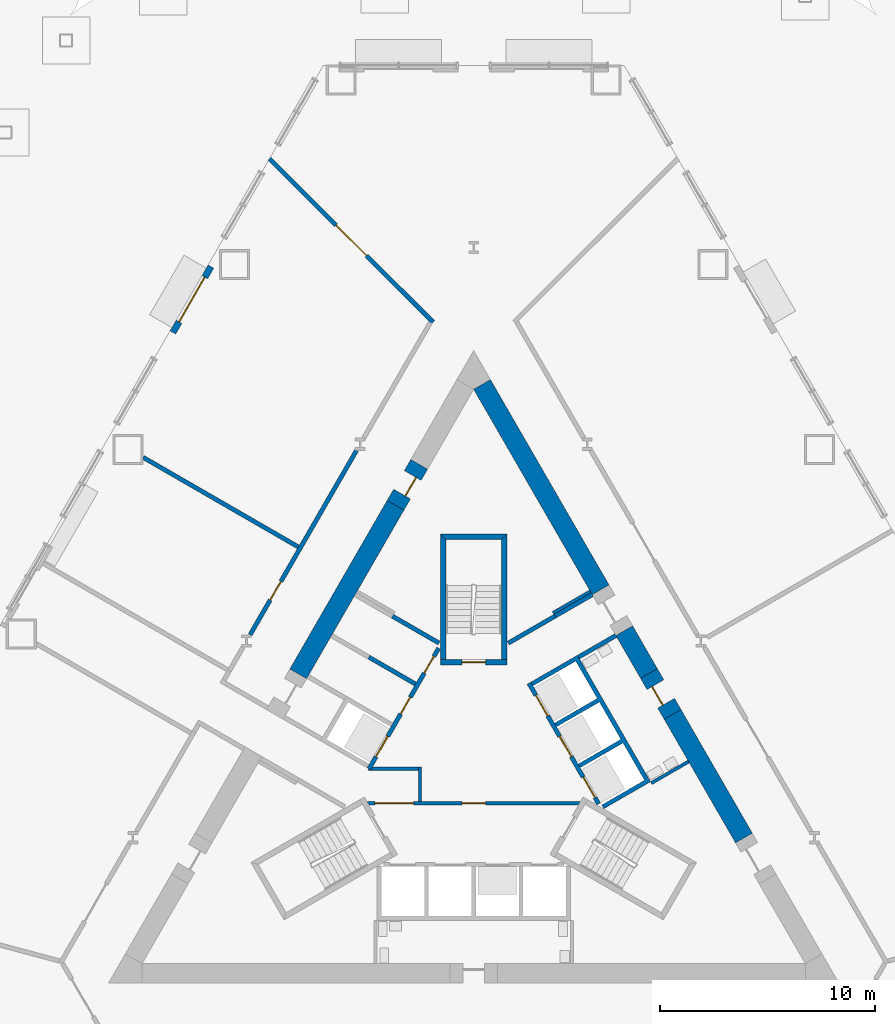
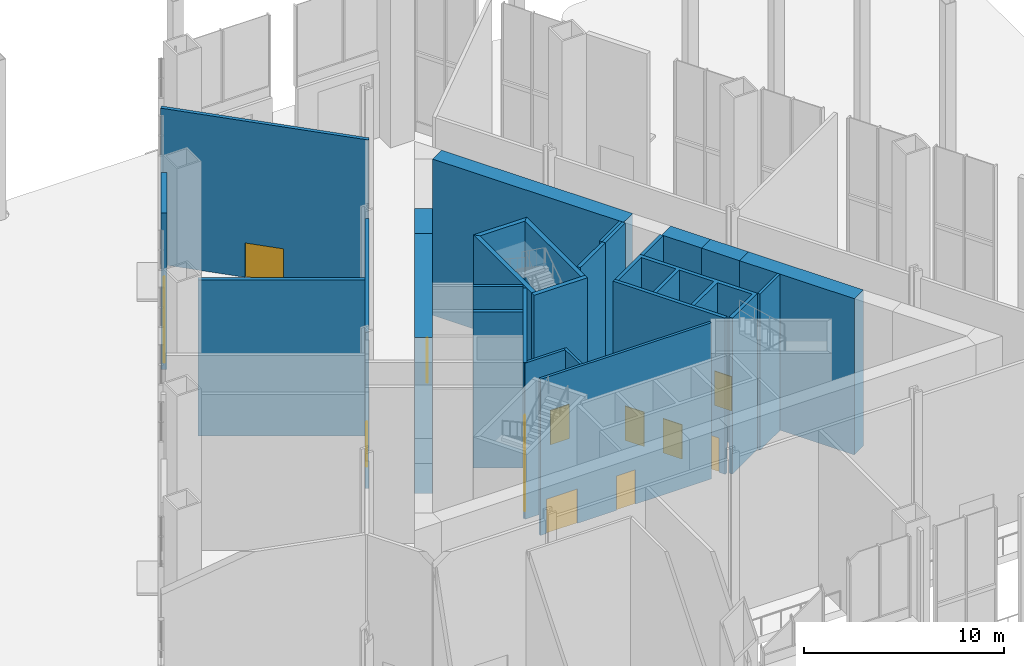
# One storey, part 12 of 18: 27 walls, 14 doors, 14 openings.
"""IFC4 building model written with IfcOpenShell, lengths in metres."""

from ifc_helpers import new_model, si_unit, direction, frame, frame_2d, origin, place, context, subcontext, project, spatial, polyline, rectangle, outline, extrude, material, layer, layer_set, type_object, element, fill, save


model = new_model("IFC4")

# Units and contexts
model_context = context("Model", 3, precision=1e-05, world=origin(), true_north=direction((0.0, 1.0)))
body_context = subcontext(model_context, "Body", "Model", "MODEL_VIEW")
ifc_project = project(units=[si_unit("LENGTHUNIT", "METRE"), si_unit("AREAUNIT", "SQUARE_METRE"), si_unit("VOLUMEUNIT", "CUBIC_METRE"), si_unit("PLANEANGLEUNIT", "RADIAN"), si_unit("MASSUNIT", "GRAM", prefix="KILO")], contexts=[model_context])

# Site, building, storey
site_placement = place(None, origin())
site = spatial("IfcSite", under=ifc_project, at=site_placement, CompositionType="ELEMENT")
building_placement = place(site_placement, origin())
building = spatial("IfcBuilding", under=site, at=building_placement, Name="Cormorant Prow Tower", CompositionType="ELEMENT")
storey_placement = place(building_placement, origin())
storey = spatial("IfcBuildingStorey", under=building, at=storey_placement, Name="L00", CompositionType="ELEMENT", Elevation=0.0)

# Wall, openings, doors
ifc_material_1 = material(Name="Gypsum board partition")
ifc_layer_1 = layer(ifc_material_1, 0.14990234375)
ifc_layer_set_1 = layer_set([ifc_layer_1], Name="Gypsum board partition")
wall_type_1 = type_object("IfcWallType", Name="Core partition 150", PredefinedType="PARTITIONING", material=ifc_layer_set_1)
wall_1_placement = place(storey_placement, frame((-4.941162109375, -1.449951171875, 0.0), z_axis=(0.0, 0.0, 1.0), x_axis=(1.0, 0.0, 0.0)))
wall_1 = element("IfcWall", 1, at=wall_1_placement, inside=storey, type_object=wall_type_1, Name="Firefighting lobby partition", PredefinedType="PARTITIONING", context=body_context, shape_type="SweptSolid", body=[
    extrude(rectangle(XDim=9.88232421875, YDim=0.14990234375, at=frame_2d((4.941162109375, 0.0))), origin(), (0.0, 0.0, 1.0), 9.550048828125),
])
opening_1_placement = place(wall_1_placement, frame((4.39111328125, 0.0, 0.0)))
opening_1 = element("IfcOpeningElement", 2, at=opening_1_placement, cuts=wall_1, Name="Opening L00-C11", PredefinedType="OPENING", context=body_context, shape_type="SweptSolid", body=[
    extrude(rectangle(XDim=1.10009765625, YDim=2.10009765625, at=frame_2d((0.550048828125, 1.050048828125))), frame((0.0, 0.0849609375, 0.0), z_axis=(0.0, -1.0, 0.0), x_axis=(1.0, 0.0, 0.0)), (0.0, 0.0, 1.0), 0.169921875),
])
opening_2_placement = place(wall_1_placement, frame((0.341064453125, 0.0, 0.0)))
opening_2 = element("IfcOpeningElement", 3, at=opening_2_placement, cuts=wall_1, Name="Opening L00-C12", PredefinedType="OPENING", context=body_context, shape_type="SweptSolid", body=[
    extrude(rectangle(XDim=1.800048828125, YDim=2.10009765625, at=frame_2d((0.89990234375, 1.050048828125))), frame((0.0, 0.0849609375, 0.0), z_axis=(0.0, -1.0, 0.0), x_axis=(1.0, 0.0, 0.0)), (0.0, 0.0, 1.0), 0.169921875),
])
ifc_material_2 = material(Name="Painted steel", Category="steel")
door_type_1 = type_object("IfcDoorType", Name="Exit passage door 1800x2100", OperationType="DOUBLE_DOOR_SINGLE_SWING", PredefinedType="DOOR", material=ifc_material_2)
door_1_placement = place(opening_2_placement, origin())
door_1 = element("IfcDoor", 4, at=door_1_placement, inside=storey, type_object=door_type_1, Name="Exit passage door", OperationType="DOUBLE_DOOR_SINGLE_SWING", OverallHeight=2.10009765625, OverallWidth=1.800048828125, PredefinedType="DOOR", context=body_context, shape_type="SweptSolid", body=[
    extrude(rectangle(XDim=1.800048828125, YDim=2.10009765625, at=frame_2d((0.89990234375, 1.050048828125))), frame((0.0, 0.02490234375, 0.0), z_axis=(0.0, -1.0, 0.0), x_axis=(1.0, 0.0, 0.0)), (0.0, 0.0, 1.0), 0.050048828125),
])
fill(opening_2, door_1)
ifc_material_3 = material(Name="Painted steel", Category="steel")
door_type_2 = type_object("IfcDoorType", Name="Firefighting lobby door 1100x2100", OperationType="NOTDEFINED", PredefinedType="DOOR", material=ifc_material_3)
door_2_placement = place(opening_1_placement, origin())
door_2 = element("IfcDoor", 5, at=door_2_placement, inside=storey, type_object=door_type_2, Name="Firefighting lobby door", OperationType="SINGLE_SWING_LEFT", OverallHeight=2.10009765625, OverallWidth=1.10009765625, PredefinedType="DOOR", context=body_context, shape_type="SweptSolid", body=[
    extrude(rectangle(XDim=1.10009765625, YDim=2.10009765625, at=frame_2d((0.550048828125, 1.050048828125))), frame((0.0, 0.02490234375, 0.0), z_axis=(0.0, -1.0, 0.0), x_axis=(1.0, 0.0, 0.0)), (0.0, 0.0, 1.0), 0.050048828125),
])
fill(opening_1, door_2)

# Walls
wall_2_placement = place(storey_placement, origin())
element("IfcWall", 6, at=wall_2_placement, inside=storey, type_object=wall_type_1, Name="Exit passage wall", PredefinedType="PARTITIONING", context=body_context, shape_type="SweptSolid", body=[
    extrude(outline(polyline([(-2.574951171875, 0.235107421875), (-2.574951171875, 0.0849609375), (-4.89990234375, 0.0849609375), (-4.89990234375, 0.173095703125), (-4.787353515625, 0.108154296875), (-4.714111328125, 0.235107421875), (-2.574951171875, 0.235107421875)])), origin(), (0.0, 0.0, 1.0), 9.550048828125),
])
wall_3_placement = place(storey_placement, origin())
element("IfcWall", 7, at=wall_3_placement, inside=storey, type_object=wall_type_1, Name="Exit passage wall", PredefinedType="PARTITIONING", context=body_context, shape_type="SweptSolid", body=[
    extrude(outline(polyline([(-2.574951171875, 0.235107421875), (-2.425048828125, 0.235107421875), (-2.425048828125, -1.375), (-2.574951171875, -1.375), (-2.574951171875, 0.235107421875)])), origin(), (0.0, 0.0, 1.0), 9.550048828125),
])
for number, where, z_axis, x_axis, name in (
    (8, (3.693359375, 7.4150390625, 0.0), (0.0, 0.0, 1.0), (0.866035824272, 0.499981950752, 0.0), "Service room partition"),
    (9, (8.268310546875, -0.509033203125, 0.0), (0.0, 0.0, 1.0), (0.866035824272, 0.499981950752, 0.0), "Service room partition"),
):
    element("IfcWall", number, at=place(storey_placement, frame(where, z_axis=z_axis, x_axis=x_axis)), inside=storey, type_object=wall_type_1, Name=name, PredefinedType="PARTITIONING", context=body_context, shape_type="SweptSolid", body=[
        extrude(rectangle(XDim=2.0087890625, YDim=0.14990234375, at=frame_2d((1.00439453125, 0.0))), origin(), (0.0, 0.0, 1.0), 9.550048828125),
    ])
ifc_material_4 = material(Name="Concrete 8000 psi", Category="concrete")
ifc_layer_2 = layer(ifc_material_4, 0.89990234375)
ifc_layer_set_2 = layer_set([ifc_layer_2], Name="Concrete 8000 psi")
wall_type_2 = type_object("IfcWallType", Name="Core shear wall 900", PredefinedType="SHEAR", material=ifc_layer_set_2)
wall_4_placement = place(storey_placement, frame((5.910400390625, 8.492919921875, 0.0), z_axis=(0.0, 0.0, 1.0), x_axis=(-0.50000828114, 0.866020622613, 0.0)))
element("IfcWall", 10, at=wall_4_placement, inside=storey, type_object=wall_type_2, Name="Core wall", PredefinedType="SHEAR", context=body_context, shape_type="SweptSolid", body=[
    extrude(rectangle(XDim=11.041259765625, YDim=0.89990234375, at=frame_2d((5.5205078125, 0.0))), origin(), (0.0, 0.0, 1.0), 9.550048828125),
])
wall_5_placement = place(storey_placement, frame((12.5830078125, -3.064697265625, 0.0), z_axis=(0.0, 0.0, 1.0), x_axis=(-0.49998745675, 0.866032645512, 0.0)))
element("IfcWall", 11, at=wall_5_placement, inside=storey, type_object=wall_type_2, Name="Core wall", PredefinedType="SHEAR", context=body_context, shape_type="SweptSolid", body=[
    extrude(rectangle(XDim=6.645751953125, YDim=0.89990234375, at=frame_2d((3.32275390625, 0.0))), origin(), (0.0, 0.0, 1.0), 9.550048828125),
])
wall_6_placement = place(storey_placement, frame((8.160400390625, 4.595947265625, 0.0), z_axis=(0.0, 0.0, 1.0), x_axis=(-0.500077740698, 0.865980515519, 0.0)))
element("IfcWall", 12, at=wall_6_placement, inside=storey, type_object=wall_type_2, Name="Core wall", PredefinedType="SHEAR", context=body_context, shape_type="SweptSolid", body=[
    extrude(rectangle(XDim=2.300048828125, YDim=0.89990234375, at=frame_2d((1.14990234375, 0.0))), origin(), (0.0, 0.0, 1.0), 9.550048828125),
])
wall_7_placement = place(storey_placement, frame((-3.637451171875, 12.4296875, 0.0), z_axis=(0.0, 0.0, 1.0), x_axis=(-0.500011513458, -0.866018756384, 0.0)))
element("IfcWall", 13, at=wall_7_placement, inside=storey, type_object=wall_type_2, Name="Core wall", PredefinedType="SHEAR", context=body_context, shape_type="SweptSolid", body=[
    extrude(rectangle(XDim=9.065673828125, YDim=0.89990234375, at=frame_2d((4.53271484375, 0.0))), origin(), (0.0, 0.0, 1.0), 9.550048828125),
])

# Wall, opening, door
wall_8_placement = place(storey_placement, frame((9.26025390625, 2.690673828125, 0.0), z_axis=(0.0, 0.0, 1.0), x_axis=(-0.499946605688, 0.86605622881, 0.0)))
wall_8 = element("IfcWall", 14, at=wall_8_placement, inside=storey, type_object=wall_type_2, Name="Core wall door panel", PredefinedType="SHEAR", context=body_context, shape_type="SweptSolid", body=[
    extrude(rectangle(XDim=2.199951171875, YDim=0.89990234375, at=frame_2d((1.10009765625, 0.0))), origin(), (0.0, 0.0, 1.0), 9.550048828125),
])
opening_3_placement = place(wall_8_placement, frame((0.60009765625, 0.0, 0.0)))
opening_3 = element("IfcOpeningElement", 15, at=opening_3_placement, cuts=wall_8, Name="Opening L00-C19", PredefinedType="OPENING", context=body_context, shape_type="SweptSolid", body=[
    extrude(rectangle(XDim=1.0, YDim=2.10009765625, at=frame_2d((0.5, 1.050048828125))), frame((0.0, 0.4599609375, 0.0), z_axis=(0.0, -1.0, 0.0), x_axis=(1.0, 0.0, 0.0)), (0.0, 0.0, 1.0), 0.919921875),
])
ifc_material_5 = material(Name="Painted steel", Category="steel")
door_type_3 = type_object("IfcDoorType", Name="Service door 1000x2100", OperationType="NOTDEFINED", PredefinedType="DOOR", material=ifc_material_5)
door_3_placement = place(opening_3_placement, origin())
door_3 = element("IfcDoor", 16, at=door_3_placement, inside=storey, type_object=door_type_3, Name="Core door, Toilets (men) L00", OperationType="SINGLE_SWING_LEFT", OverallHeight=2.10009765625, OverallWidth=1.0, PredefinedType="DOOR", context=body_context, shape_type="SweptSolid", body=[
    extrude(rectangle(XDim=1.0, YDim=2.10009765625, at=frame_2d((0.5, 1.050048828125))), frame((0.0, 0.205078125, 0.0), z_axis=(0.0, -1.0, 0.0), x_axis=(1.0, 0.0, 0.0)), (0.0, 0.0, 1.0), 0.050048828125),
])
fill(opening_3, door_3)

wall_9_placement = place(storey_placement, frame((-2.53759765625, 14.334716796875, 0.0), z_axis=(0.0, 0.0, 1.0), x_axis=(-0.499994660107, -0.866028486751, 0.0)))
wall_9 = element("IfcWall", 17, at=wall_9_placement, inside=storey, type_object=wall_type_2, Name="Core wall door panel", PredefinedType="SHEAR", context=body_context, shape_type="SweptSolid", body=[
    extrude(rectangle(XDim=2.19970703125, YDim=0.89990234375, at=frame_2d((1.099853515625, 0.0))), origin(), (0.0, 0.0, 1.0), 9.550048828125),
])
opening_4_placement = place(wall_9_placement, frame((0.60009765625, 0.0, 0.0)))
opening_4 = element("IfcOpeningElement", 18, at=opening_4_placement, cuts=wall_9, Name="Opening L00-C21", PredefinedType="OPENING", context=body_context, shape_type="SweptSolid", body=[
    extrude(rectangle(XDim=1.0, YDim=2.10009765625, at=frame_2d((0.5, 1.050048828125))), frame((0.0, 0.4599609375, 0.0), z_axis=(0.0, -1.0, 0.0), x_axis=(1.0, 0.0, 0.0)), (0.0, 0.0, 1.0), 0.919921875),
])
door_4_placement = place(opening_4_placement, origin())
door_4 = element("IfcDoor", 19, at=door_4_placement, inside=storey, type_object=door_type_3, Name="Core door, Pantry store", OperationType="SINGLE_SWING_RIGHT", OverallHeight=2.10009765625, OverallWidth=1.0, PredefinedType="DOOR", context=body_context, shape_type="SweptSolid", body=[
    extrude(rectangle(XDim=1.0, YDim=2.10009765625, at=frame_2d((0.5, 1.050048828125))), frame((0.0, 0.205078125, 0.0), z_axis=(0.0, -1.0, 0.0), x_axis=(1.0, 0.0, 0.0)), (0.0, 0.0, 1.0), 0.050048828125),
])
fill(opening_4, door_4)

ifc_material_6 = material(Name="Gypsum board corridor wall")
ifc_layer_3 = layer(ifc_material_6, 0.199951171875)
ifc_layer_set_3 = layer_set([ifc_layer_3], Name="Gypsum board corridor wall")
wall_type_3 = type_object("IfcWallType", Name="Corridor wall 200", PredefinedType="PARTITIONING", material=ifc_layer_set_3)
wall_10_placement = place(storey_placement, frame((-9.506591796875, 28.5673828125, 0.0), z_axis=(0.0, 0.0, 1.0), x_axis=(0.707390242945, -0.706823205749, 0.0)))
wall_10 = element("IfcWall", 20, at=wall_10_placement, inside=storey, type_object=wall_type_3, Name="Corridor wall", PredefinedType="PARTITIONING", context=body_context, shape_type="SweptSolid", body=[
    extrude(rectangle(XDim=10.763916015625, YDim=0.199951171875, at=frame_2d((5.3818359375, 0.0))), origin(), (0.0, 0.0, 1.0), 9.550048828125),
])
opening_5_placement = place(wall_10_placement, frame((4.382080078125, 0.0, 0.0)))
opening_5 = element("IfcOpeningElement", 21, at=opening_5_placement, cuts=wall_10, Name="Opening L00-F07", PredefinedType="OPENING", context=body_context, shape_type="SweptSolid", body=[
    extrude(rectangle(XDim=2.0, YDim=2.10009765625, at=frame_2d((1.0, 1.050048828125))), frame((0.0, 0.10986328125, 0.0), z_axis=(0.0, -1.0, 0.0), x_axis=(1.0, 0.0, 0.0)), (0.0, 0.0, 1.0), 0.219970703125),
])
ifc_material_7 = material(Name="Glazed aluminium door", Category="aluminium")
door_type_4 = type_object("IfcDoorType", Name="Glazed double door 2000x2100", OperationType="DOUBLE_DOOR_SINGLE_SWING", PredefinedType="DOOR", material=ifc_material_7)
door_5_placement = place(opening_5_placement, origin())
door_5 = element("IfcDoor", 22, at=door_5_placement, inside=storey, type_object=door_type_4, Name="Retail unit door", OperationType="DOUBLE_DOOR_SINGLE_SWING", OverallHeight=2.10009765625, OverallWidth=2.0, PredefinedType="DOOR", context=body_context, shape_type="SweptSolid", body=[
    extrude(rectangle(XDim=2.0, YDim=2.10009765625, at=frame_2d((1.0, 1.050048828125))), frame((0.0, 0.02490234375, 0.0), z_axis=(0.0, -1.0, 0.0), x_axis=(1.0, 0.0, 0.0)), (0.0, 0.0, 1.0), 0.050048828125),
])
fill(opening_5, door_5)

wall_11_placement = place(storey_placement, frame((-10.408203125, 6.402099609375, 0.0), z_axis=(0.0, 0.0, 1.0), x_axis=(0.499985793049, 0.866033606016, 0.0)))
wall_11 = element("IfcWall", 23, at=wall_11_placement, inside=storey, type_object=wall_type_3, Name="Corridor wall", PredefinedType="PARTITIONING", context=body_context, shape_type="SweptSolid", body=[
    extrude(rectangle(XDim=9.897705078125, YDim=0.199951171875, at=frame_2d((4.94873046875, 0.0))), origin(), (0.0, 0.0, 1.0), 9.550048828125),
])
opening_6_placement = place(wall_11_placement, frame((1.868896484375, 0.0, 0.0)))
opening_6 = element("IfcOpeningElement", 24, at=opening_6_placement, cuts=wall_11, Name="Opening L00-F08", PredefinedType="OPENING", context=body_context, shape_type="SweptSolid", body=[
    extrude(rectangle(XDim=1.0, YDim=2.10009765625, at=frame_2d((0.5, 1.050048828125))), frame((0.0, 0.10986328125, 0.0), z_axis=(0.0, -1.0, 0.0), x_axis=(1.0, 0.0, 0.0)), (0.0, 0.0, 1.0), 0.219970703125),
])
ifc_material_8 = material(Name="Glazed aluminium door", Category="aluminium")
door_type_5 = type_object("IfcDoorType", Name="Glazed entrance door 1000x2100", OperationType="NOTDEFINED", PredefinedType="DOOR", material=ifc_material_8)
door_6_placement = place(opening_6_placement, origin())
door_6 = element("IfcDoor", 25, at=door_6_placement, inside=storey, type_object=door_type_5, Name="Cafe door", OperationType="SINGLE_SWING_RIGHT", OverallHeight=2.10009765625, OverallWidth=1.0, PredefinedType="DOOR", context=body_context, shape_type="SweptSolid", body=[
    extrude(rectangle(XDim=1.0, YDim=2.10009765625, at=frame_2d((0.5, 1.050048828125))), frame((0.0, 0.02490234375, 0.0), z_axis=(0.0, -1.0, 0.0), x_axis=(1.0, 0.0, 0.0)), (0.0, 0.0, 1.0), 0.050048828125),
])
fill(opening_6, door_6)

# Wall
ifc_material_9 = material(Name="Gypsum board demising wall")
ifc_layer_4 = layer(ifc_material_9, 0.199951171875)
ifc_layer_set_4 = layer_set([ifc_layer_4], Name="Gypsum board demising wall")
wall_type_4 = type_object("IfcWallType", Name="Demising wall 200", PredefinedType="PARTITIONING", material=ifc_layer_set_4)
wall_12_placement = place(storey_placement, frame((-15.391845703125, 14.659912109375, 0.0), z_axis=(0.0, 0.0, 1.0), x_axis=(0.866027244746, -0.499996811348, 0.0)))
element("IfcWall", 26, at=wall_12_placement, inside=storey, type_object=wall_type_4, Name="Demising wall", PredefinedType="PARTITIONING", context=body_context, shape_type="SweptSolid", body=[
    extrude(rectangle(XDim=8.3447265625, YDim=0.199951171875, at=frame_2d((4.17236328125, 0.0))), origin(), (0.0, 0.0, 1.0), 9.550048828125),
])

# Wall, openings, doors
ifc_material_10 = material(Name="Concrete 5000 psi", Category="concrete")
ifc_layer_5 = layer(ifc_material_10, 0.199951171875)
ifc_layer_set_5 = layer_set([ifc_layer_5], Name="Concrete 5000 psi")
wall_type_5 = type_object("IfcWallType", Name="Lift lobby wall 200", PredefinedType="SOLIDWALL", material=ifc_layer_set_5)
wall_13_placement = place(storey_placement, frame((5.817138671875, -1.4755859375, 0.0), z_axis=(0.0, 0.0, 1.0), x_axis=(-0.499992876559, 0.866029516466, 0.0)))
wall_13 = element("IfcWall", 27, at=wall_13_placement, inside=storey, type_object=wall_type_5, Name="Lift lobby wall, ENE block", PredefinedType="SOLIDWALL", context=body_context, shape_type="SweptSolid", body=[
    extrude(rectangle(XDim=6.486328125, YDim=0.199951171875, at=frame_2d((3.2431640625, 0.0))), origin(), (0.0, 0.0, 1.0), 9.550048828125),
])
opening_7_placement = place(wall_13_placement, frame((0.336669921875, 0.0, 0.0)))
opening_7 = element("IfcOpeningElement", 28, at=opening_7_placement, cuts=wall_13, Name="Opening L00-C05", PredefinedType="OPENING", context=body_context, shape_type="SweptSolid", body=[
    extrude(rectangle(XDim=1.10009765625, YDim=2.10009765625, at=frame_2d((0.550048828125, 1.050048828125))), frame((0.0, 0.10986328125, 0.0), z_axis=(0.0, -1.0, 0.0), x_axis=(1.0, 0.0, 0.0)), (0.0, 0.0, 1.0), 0.219970703125),
])
opening_8_placement = place(wall_13_placement, frame((2.53662109375, 0.0, 0.0)))
opening_8 = element("IfcOpeningElement", 29, at=opening_8_placement, cuts=wall_13, Name="Opening L00-C06", PredefinedType="OPENING", context=body_context, shape_type="SweptSolid", body=[
    extrude(rectangle(XDim=1.10009765625, YDim=2.10009765625, at=frame_2d((0.550048828125, 1.050048828125))), frame((0.0, 0.10986328125, 0.0), z_axis=(0.0, -1.0, 0.0), x_axis=(1.0, 0.0, 0.0)), (0.0, 0.0, 1.0), 0.219970703125),
])
opening_9_placement = place(wall_13_placement, frame((4.736572265625, 0.0, 0.0)))
opening_9 = element("IfcOpeningElement", 30, at=opening_9_placement, cuts=wall_13, Name="Opening L00-C07", PredefinedType="OPENING", context=body_context, shape_type="SweptSolid", body=[
    extrude(rectangle(XDim=1.10009765625, YDim=2.10009765625, at=frame_2d((0.550048828125, 1.050048828125))), frame((0.0, 0.10986328125, 0.0), z_axis=(0.0, -1.0, 0.0), x_axis=(1.0, 0.0, 0.0)), (0.0, 0.0, 1.0), 0.219970703125),
])
ifc_material_11 = material(Name="Painted steel", Category="steel")
door_type_6 = type_object("IfcDoorType", Name="Lift landing door 1100x2100", OperationType="SLIDING_TO_LEFT", PredefinedType="DOOR", material=ifc_material_11)
door_7_placement = place(opening_7_placement, origin())
door_7 = element("IfcDoor", 31, at=door_7_placement, inside=storey, type_object=door_type_6, Name="Landing door LR2", OperationType="SLIDING_TO_LEFT", OverallHeight=2.10009765625, OverallWidth=1.10009765625, PredefinedType="DOOR", context=body_context, shape_type="SweptSolid", body=[
    extrude(rectangle(XDim=1.10009765625, YDim=2.10009765625, at=frame_2d((0.550048828125, 1.050048828125))), frame((0.0, 0.02490234375, 0.0), z_axis=(0.0, -1.0, 0.0), x_axis=(1.0, 0.0, 0.0)), (0.0, 0.0, 1.0), 0.050048828125),
])
fill(opening_7, door_7)
door_8_placement = place(opening_8_placement, origin())
door_8 = element("IfcDoor", 32, at=door_8_placement, inside=storey, type_object=door_type_6, Name="Landing door LR3", OperationType="SLIDING_TO_LEFT", OverallHeight=2.10009765625, OverallWidth=1.10009765625, PredefinedType="DOOR", context=body_context, shape_type="SweptSolid", body=[
    extrude(rectangle(XDim=1.10009765625, YDim=2.10009765625, at=frame_2d((0.550048828125, 1.050048828125))), frame((0.0, 0.02490234375, 0.0), z_axis=(0.0, -1.0, 0.0), x_axis=(1.0, 0.0, 0.0)), (0.0, 0.0, 1.0), 0.050048828125),
])
fill(opening_8, door_8)
door_9_placement = place(opening_9_placement, origin())
door_9 = element("IfcDoor", 33, at=door_9_placement, inside=storey, type_object=door_type_6, Name="Landing door LR4", OperationType="SLIDING_TO_LEFT", OverallHeight=2.10009765625, OverallWidth=1.10009765625, PredefinedType="DOOR", context=body_context, shape_type="SweptSolid", body=[
    extrude(rectangle(XDim=1.10009765625, YDim=2.10009765625, at=frame_2d((0.550048828125, 1.050048828125))), frame((0.0, 0.02490234375, 0.0), z_axis=(0.0, -1.0, 0.0), x_axis=(1.0, 0.0, 0.0)), (0.0, 0.0, 1.0), 0.050048828125),
])
fill(opening_9, door_9)

wall_14_placement = place(storey_placement, frame((-1.630615234375, 5.775634765625, 0.0), z_axis=(0.0, 0.0, 1.0), x_axis=(-0.499992876559, -0.866029516466, 0.0)))
wall_14 = element("IfcWall", 34, at=wall_14_placement, inside=storey, type_object=wall_type_5, Name="Lift lobby wall, WNW block", PredefinedType="SOLIDWALL", context=body_context, shape_type="SweptSolid", body=[
    extrude(rectangle(XDim=6.486328125, YDim=0.199951171875, at=frame_2d((3.2431640625, 0.0))), origin(), (0.0, 0.0, 1.0), 9.550048828125),
])
opening_10_placement = place(wall_14_placement, frame((0.4365234375, 0.0, 0.0)))
opening_10 = element("IfcOpeningElement", 35, at=opening_10_placement, cuts=wall_14, Name="Opening L00-C08", PredefinedType="OPENING", context=body_context, shape_type="SweptSolid", body=[
    extrude(rectangle(XDim=0.89990234375, YDim=2.10009765625, at=frame_2d((0.449951171875, 1.050048828125))), frame((0.0, 0.10986328125, 0.0), z_axis=(0.0, -1.0, 0.0), x_axis=(1.0, 0.0, 0.0)), (0.0, 0.0, 1.0), 0.219970703125),
])
opening_11_placement = place(wall_14_placement, frame((2.63671875, 0.0, 0.0)))
opening_11 = element("IfcOpeningElement", 36, at=opening_11_placement, cuts=wall_14, Name="Opening L00-C09", PredefinedType="OPENING", context=body_context, shape_type="SweptSolid", body=[
    extrude(rectangle(XDim=0.89990234375, YDim=2.10009765625, at=frame_2d((0.449951171875, 1.050048828125))), frame((0.0, 0.10986328125, 0.0), z_axis=(0.0, -1.0, 0.0), x_axis=(1.0, 0.0, 0.0)), (0.0, 0.0, 1.0), 0.219970703125),
])
opening_12_placement = place(wall_14_placement, frame((4.736572265625, 0.0, 0.0)))
opening_12 = element("IfcOpeningElement", 37, at=opening_12_placement, cuts=wall_14, Name="Opening L00-C10", PredefinedType="OPENING", context=body_context, shape_type="SweptSolid", body=[
    extrude(rectangle(XDim=1.10009765625, YDim=2.10009765625, at=frame_2d((0.550048828125, 1.050048828125))), frame((0.0, 0.10986328125, 0.0), z_axis=(0.0, -1.0, 0.0), x_axis=(1.0, 0.0, 0.0)), (0.0, 0.0, 1.0), 0.219970703125),
])
door_10_placement = place(opening_12_placement, origin())
door_10 = element("IfcDoor", 38, at=door_10_placement, inside=storey, type_object=door_type_6, Name="Landing door SH1", OperationType="SLIDING_TO_LEFT", OverallHeight=2.10009765625, OverallWidth=1.10009765625, PredefinedType="DOOR", context=body_context, shape_type="SweptSolid", body=[
    extrude(rectangle(XDim=1.10009765625, YDim=2.10009765625, at=frame_2d((0.550048828125, 1.050048828125))), frame((0.0, 0.02490234375, 0.0), z_axis=(0.0, -1.0, 0.0), x_axis=(1.0, 0.0, 0.0)), (0.0, 0.0, 1.0), 0.050048828125),
])
fill(opening_12, door_10)
ifc_material_12 = material(Name="Painted steel", Category="steel")
door_type_7 = type_object("IfcDoorType", Name="Service door 900x2100", OperationType="NOTDEFINED", PredefinedType="DOOR", material=ifc_material_12)
door_11_placement = place(opening_10_placement, origin())
door_11 = element("IfcDoor", 39, at=door_11_placement, inside=storey, type_object=door_type_7, Name="Service door, Refuse store", OperationType="SINGLE_SWING_LEFT", OverallHeight=2.10009765625, OverallWidth=0.89990234375, PredefinedType="DOOR", context=body_context, shape_type="SweptSolid", body=[
    extrude(rectangle(XDim=0.89990234375, YDim=2.10009765625, at=frame_2d((0.449951171875, 1.050048828125))), frame((0.0, 0.02490234375, 0.0), z_axis=(0.0, -1.0, 0.0), x_axis=(1.0, 0.0, 0.0)), (0.0, 0.0, 1.0), 0.050048828125),
])
fill(opening_10, door_11)
door_12_placement = place(opening_11_placement, origin())
door_12 = element("IfcDoor", 40, at=door_12_placement, inside=storey, type_object=door_type_7, Name="Service door, Pantry store", OperationType="SINGLE_SWING_RIGHT", OverallHeight=2.10009765625, OverallWidth=0.89990234375, PredefinedType="DOOR", context=body_context, shape_type="SweptSolid", body=[
    extrude(rectangle(XDim=0.89990234375, YDim=2.10009765625, at=frame_2d((0.449951171875, 1.050048828125))), frame((0.0, 0.02490234375, 0.0), z_axis=(0.0, -1.0, 0.0), x_axis=(1.0, 0.0, 0.0)), (0.0, 0.0, 1.0), 0.050048828125),
])
fill(opening_11, door_12)

# Walls
ifc_material_13 = material(Name="Concrete 8000 psi", Category="concrete")
ifc_layer_6 = layer(ifc_material_13, 0.199951171875)
ifc_layer_set_6 = layer_set([ifc_layer_6], Name="Concrete 8000 psi")
wall_type_6 = type_object("IfcWallType", Name="Lift shaft wall 200", PredefinedType="SHEAR", material=ifc_layer_set_6)
wall_15_placement = place(storey_placement, origin())
element("IfcWall", 41, at=wall_15_placement, inside=storey, type_object=wall_type_6, Name="Lift shaft walls, ENE block", PredefinedType="SHEAR", context=body_context, shape_type="SweptSolid", body=[
    extrude(outline(polyline([(1.560546875, 6.09716796875), (3.730712890625, 7.35009765625), (3.830810546875, 7.177001953125), (1.660400390625, 5.923828125), (1.560546875, 6.09716796875)])), origin(), (0.0, 0.0, 1.0), 9.550048828125),
])
wall_16_placement = place(storey_placement, origin())
element("IfcWall", 42, at=wall_16_placement, inside=storey, type_object=wall_type_6, Name="Lift shaft walls, ENE block", PredefinedType="SHEAR", context=body_context, shape_type="SweptSolid", body=[
    extrude(outline(polyline([(2.660400390625, 4.19189453125), (4.830810546875, 5.44482421875), (8.230712890625, -0.444091796875), (6.060546875, -1.697021484375), (5.96044921875, -1.52392578125), (7.952392578125, -0.373779296875), (6.952392578125, 1.358154296875), (4.96044921875, 0.2080078125), (4.860595703125, 0.38134765625), (6.852294921875, 1.53125), (5.852294921875, 3.263427734375), (3.860595703125, 2.11328125), (3.760498046875, 2.28662109375), (5.75244140625, 3.4365234375), (4.75244140625, 5.168701171875), (2.760498046875, 4.018798828125), (2.660400390625, 4.19189453125)])), origin(), (0.0, 0.0, 1.0), 9.550048828125),
])
wall_17_placement = place(storey_placement, frame((4.880859375, 5.3583984375, 0.0), z_axis=(0.0, 0.0, 1.0), x_axis=(0.866035824272, 0.499981950752, 0.0)))
element("IfcWall", 43, at=wall_17_placement, inside=storey, type_object=wall_type_6, Name="Lobby passage wall", PredefinedType="SHEAR", context=body_context, shape_type="SweptSolid", body=[
    extrude(rectangle(XDim=2.0087890625, YDim=0.199951171875, at=frame_2d((1.00439453125, 0.0))), origin(), (0.0, 0.0, 1.0), 9.550048828125),
])
wall_18_placement = place(storey_placement, frame((3.78076171875, 7.263427734375, 0.0), z_axis=(0.0, 0.0, 1.0), x_axis=(0.865983199114, 0.50007309351, 0.0)))
element("IfcWall", 44, at=wall_18_placement, inside=storey, type_object=wall_type_6, Name="Lobby passage wall", PredefinedType="SHEAR", context=body_context, shape_type="SweptSolid", body=[
    extrude(rectangle(XDim=2.009033203125, YDim=0.199951171875, at=frame_2d((1.00439453125, 0.0))), origin(), (0.0, 0.0, 1.0), 9.550048828125),
])
wall_19_placement = place(storey_placement, origin())
element("IfcWall", 45, at=wall_19_placement, inside=storey, type_object=wall_type_6, Name="Lift shaft walls, WNW block", PredefinedType="SHEAR", context=body_context, shape_type="SweptSolid", body=[
    extrude(outline(polyline([(-2.760498046875, 4.018798828125), (-4.930908203125, 5.271728515625), (-4.830810546875, 5.44482421875), (-2.660400390625, 4.19189453125), (-2.760498046875, 4.018798828125)])), origin(), (0.0, 0.0, 1.0), 9.550048828125),
])
wall_20_placement = place(storey_placement, origin())
element("IfcWall", 46, at=wall_20_placement, inside=storey, type_object=wall_type_6, Name="Lift shaft walls, WNW block", PredefinedType="SHEAR", context=body_context, shape_type="SweptSolid", body=[
    extrude(outline(polyline([(-3.730712890625, 7.35009765625), (-1.560546875, 6.09716796875), (-1.660400390625, 5.923828125), (-3.830810546875, 7.177001953125), (-3.730712890625, 7.35009765625)])), origin(), (0.0, 0.0, 1.0), 9.550048828125),
])
ifc_material_14 = material(Name="Concrete 8000 psi", Category="concrete")
ifc_layer_7 = layer(ifc_material_14, 0.25)
ifc_layer_set_7 = layer_set([ifc_layer_7], Name="Concrete 8000 psi")
wall_type_7 = type_object("IfcWallType", Name="Stair wall 250", PredefinedType="SHEAR", material=ifc_layer_set_7)
wall_21_placement = place(storey_placement, origin())
element("IfcWall", 47, at=wall_21_placement, inside=storey, type_object=wall_type_7, Name="Stair ST3 enclosure wall (flank)", PredefinedType="SHEAR", context=body_context, shape_type="SweptSolid", body=[
    extrude(outline(polyline([(1.5439453125, 5.23681640625), (1.5439453125, 11.0869140625), (1.2939453125, 10.8369140625), (1.2939453125, 5.23681640625), (1.5439453125, 5.23681640625)])), origin(), (0.0, 0.0, 1.0), 9.550048828125),
])
wall_22_placement = place(storey_placement, origin())
element("IfcWall", 48, at=wall_22_placement, inside=storey, type_object=wall_type_7, Name="Stair ST3 enclosure wall (end)", PredefinedType="SHEAR", context=body_context, shape_type="SweptSolid", body=[
    extrude(outline(polyline([(1.5439453125, 11.0869140625), (-1.5439453125, 11.0869140625), (-1.2939453125, 10.8369140625), (1.2939453125, 10.8369140625), (1.5439453125, 11.0869140625)])), origin(), (0.0, 0.0, 1.0), 9.550048828125),
])
wall_23_placement = place(storey_placement, origin())
element("IfcWall", 49, at=wall_23_placement, inside=storey, type_object=wall_type_7, Name="Stair ST3 enclosure wall (flank)", PredefinedType="SHEAR", context=body_context, shape_type="SweptSolid", body=[
    extrude(outline(polyline([(-1.2939453125, 10.8369140625), (-1.5439453125, 11.0869140625), (-1.5439453125, 5.23681640625), (-1.2939453125, 5.23681640625), (-1.2939453125, 10.8369140625)])), origin(), (0.0, 0.0, 1.0), 9.550048828125),
])

# Wall, opening, door
wall_24_placement = place(storey_placement, frame((1.5439453125, 5.11181640625, 0.0), z_axis=(0.0, 0.0, 1.0), x_axis=(-1.0, 0.0, 0.0)))
wall_24 = element("IfcWall", 50, at=wall_24_placement, inside=storey, type_object=wall_type_7, Name="Stair ST3 door wall", PredefinedType="SHEAR", context=body_context, shape_type="SweptSolid", body=[
    extrude(rectangle(XDim=3.087890625, YDim=0.25, at=frame_2d((1.5439453125, 0.0))), origin(), (0.0, 0.0, 1.0), 9.550048828125),
])
opening_13_placement = place(wall_24_placement, frame((0.993896484375, 0.0, 0.0)))
opening_13 = element("IfcOpeningElement", 51, at=opening_13_placement, cuts=wall_24, Name="Opening L00-C15", PredefinedType="OPENING", context=body_context, shape_type="SweptSolid", body=[
    extrude(rectangle(XDim=1.10009765625, YDim=2.10009765625, at=frame_2d((0.550048828125, 1.050048828125))), frame((0.0, 0.135009765625, 0.0), z_axis=(0.0, -1.0, 0.0), x_axis=(1.0, 0.0, 0.0)), (0.0, 0.0, 1.0), 0.27001953125),
])
ifc_material_15 = material(Name="Painted steel", Category="steel")
door_type_8 = type_object("IfcDoorType", Name="Stair door 1100x2100", OperationType="NOTDEFINED", PredefinedType="DOOR", material=ifc_material_15)
door_13_placement = place(opening_13_placement, origin())
door_13 = element("IfcDoor", 52, at=door_13_placement, inside=storey, type_object=door_type_8, Name="Stair ST3 door", OperationType="SINGLE_SWING_RIGHT", OverallHeight=2.10009765625, OverallWidth=1.10009765625, PredefinedType="DOOR", context=body_context, shape_type="SweptSolid", body=[
    extrude(rectangle(XDim=1.10009765625, YDim=2.10009765625, at=frame_2d((0.550048828125, 1.050048828125))), frame((0.0, 0.02490234375, 0.0), z_axis=(0.0, -1.0, 0.0), x_axis=(1.0, 0.0, 0.0)), (0.0, 0.0, 1.0), 0.050048828125),
])
fill(opening_13, door_13)

ifc_material_16 = material(Name="Terracotta", Category="masonry")
ifc_layer_8 = layer(ifc_material_16, 0.300048828125)
ifc_layer_set_8 = layer_set([ifc_layer_8], Name="Terracotta")
wall_type_8 = type_object("IfcWallType", Name="Terracotta portal wall 300", PredefinedType="SOLIDWALL", material=ifc_layer_set_8)
wall_25_placement = place(storey_placement, frame((-14.005126953125, 20.475830078125, 0.0), z_axis=(0.0, 0.0, 1.0), x_axis=(0.500011000363, 0.866019052629, 0.0)))
wall_25 = element("IfcWall", 53, at=wall_25_placement, inside=storey, type_object=wall_type_8, Name="Terracotta entrance wall WNW02", PredefinedType="SOLIDWALL", context=body_context, shape_type="SweptSolid", body=[
    extrude(rectangle(XDim=3.5400390625, YDim=0.300048828125, at=frame_2d((1.77001953125, 0.0))), origin(), (0.0, 0.0, 1.0), 9.550048828125),
])
opening_14_placement = place(wall_25_placement, frame((0.570068359375, 0.0, 0.0)))
opening_14 = element("IfcOpeningElement", 54, at=opening_14_placement, cuts=wall_25, Name="Opening ED00.10", PredefinedType="OPENING", context=body_context, shape_type="SweptSolid", body=[
    extrude(rectangle(XDim=2.39990234375, YDim=3.60009765625, at=frame_2d((1.199951171875, 1.800048828125))), frame((0.0, 0.159912109375, 0.0), z_axis=(0.0, -1.0, 0.0), x_axis=(1.0, 0.0, 0.0)), (0.0, 0.0, 1.0), 0.320068359375),
])
ifc_material_17 = material(Name="Aluminium 6063-T6", Category="aluminium")
door_type_9 = type_object("IfcDoorType", Name="Entrance door 2400x3600", OperationType="DOUBLE_DOOR_SINGLE_SWING", PredefinedType="DOOR", material=ifc_material_17)
door_14_placement = place(opening_14_placement, origin())
door_14 = element("IfcDoor", 55, at=door_14_placement, inside=storey, type_object=door_type_9, Name="Entrance door WNW02 ED00.10", OperationType="DOUBLE_DOOR_SINGLE_SWING", OverallHeight=3.60009765625, OverallWidth=2.39990234375, PredefinedType="DOOR", context=body_context, shape_type="SweptSolid", body=[
    extrude(rectangle(XDim=2.39990234375, YDim=3.60009765625, at=frame_2d((1.199951171875, 1.800048828125))), frame((0.0, 0.02490234375, 0.0), z_axis=(0.0, -1.0, 0.0), x_axis=(1.0, 0.0, 0.0)), (0.0, 0.0, 1.0), 0.050048828125),
])
fill(opening_14, door_14)

save(model, "model.ifc")
